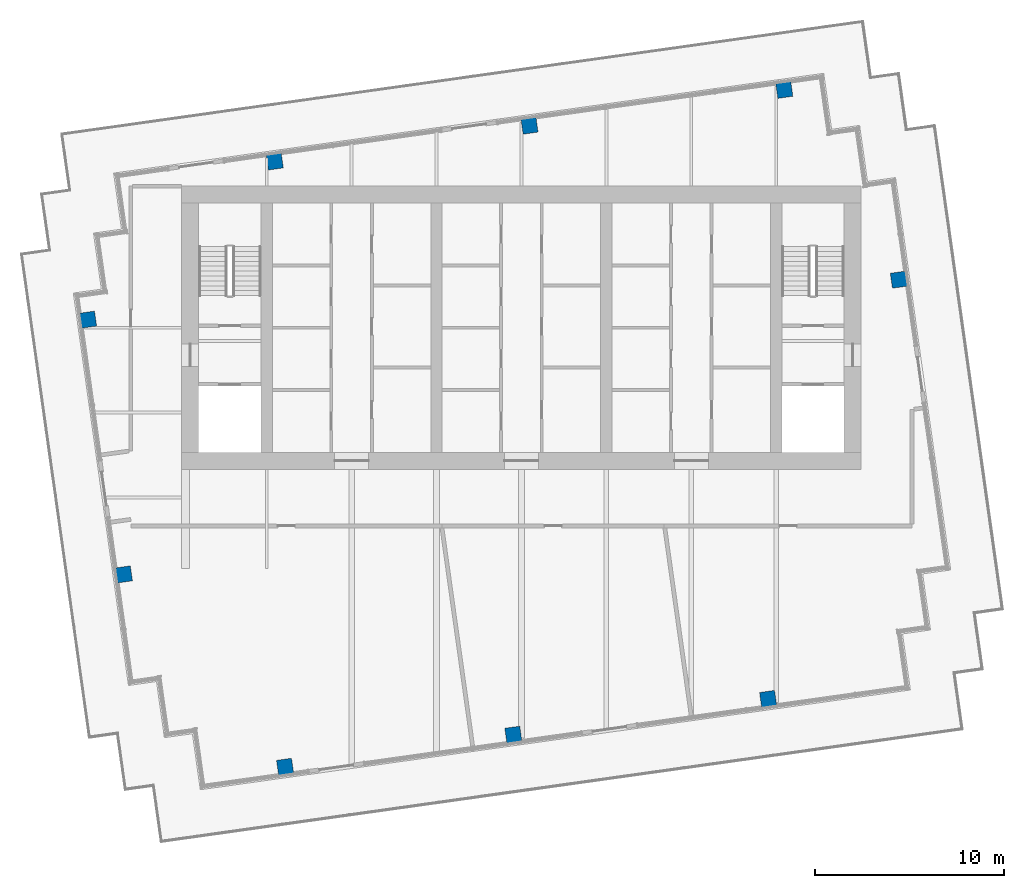
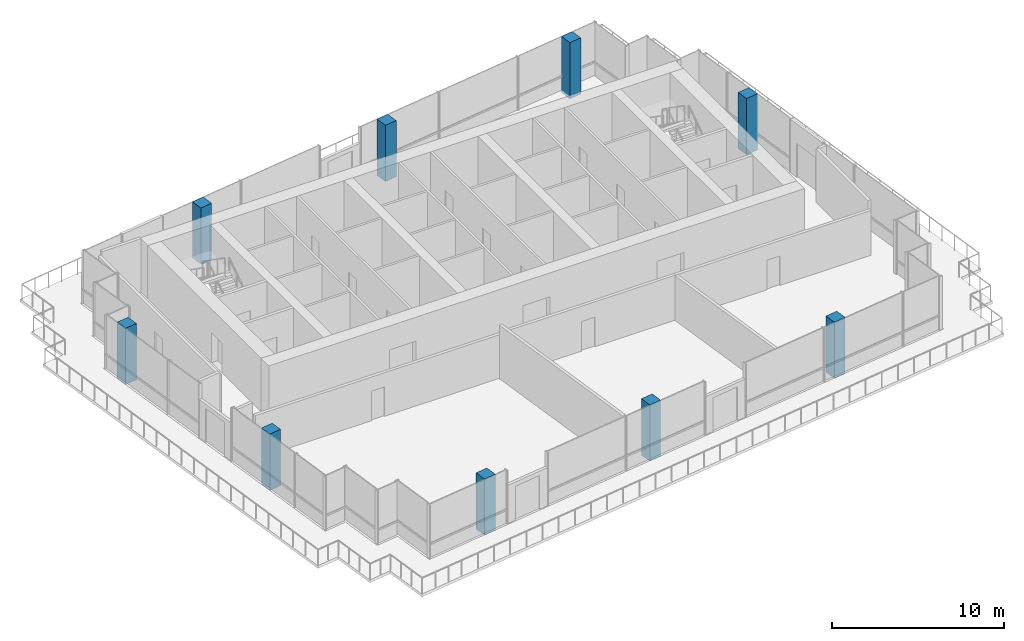
# One storey, part 1 of 12: 9 columns.
"""IFC4 building model written with IfcOpenShell, lengths in metres."""

import ifcopenshell
import ifcopenshell.guid

model = None  # the IFC model being written
_history = None  # IfcOwnerHistory: only IFC2X3 demands one
_inside = {}  # id of a spatial element -> (the spatial element, [elements in it])
_under = {}  # id of a project, library or spatial element -> (it, [spatial elements below it])
_declared = {}  # id of a project -> (the project, [libraries it declares])
_typed = {}  # id of a type object -> (the type object, [elements of that type])
_made_of = {}  # id of a material, layer set ... -> (it, [elements and type objects made of it])


def new_model(schema):
    """Start an empty IFC model of exactly this schema.

    Asked for "IFC4X3", IfcOpenShell would pick the latest addendum, in which some entities
    have other attributes; the version numbers below select the first issue.
    IFC2X3 requires an IfcOwnerHistory on every rooted entity: one is made here for all.
    """
    global model, _history
    if schema == "IFC4X3":
        model = ifcopenshell.file(schema_version=(4, 3, 0, 0))
    else:
        model = ifcopenshell.file(schema=schema)
    _inside.clear()
    _under.clear()
    _declared.clear()
    _typed.clear()
    _made_of.clear()
    _history = None
    if model.schema == "IFC2X3":
        org = make("IfcOrganization", Name="unknown")
        user = make(
            "IfcPersonAndOrganization",
            ThePerson=make("IfcPerson", FamilyName="unknown"),
            TheOrganization=org,
        )
        app = make(
            "IfcApplication",
            ApplicationDeveloper=org,
            Version="unknown",
            ApplicationFullName="unknown",
            ApplicationIdentifier="unknown",
        )
        _history = make(
            "IfcOwnerHistory",
            OwningUser=user,
            OwningApplication=app,
            ChangeAction="ADDED",
            CreationDate=0,
        )
    return model


def make(cls, **values):
    """One entity of the class cls with the attributes given. An attribute that is None is left unset."""
    return model.create_entity(
        cls, **{name: value for name, value in values.items() if value is not None}
    )


def rooted(cls, **values):
    """An entity with a GlobalId (a new one), such as an element, a storey or a relation."""
    return make(cls, GlobalId=ifcopenshell.guid.new(), OwnerHistory=_history, **values)


def si_unit(unit_type, name, prefix=None):
    """IfcSIUnit, for example si_unit("LENGTHUNIT", "METRE", prefix="MILLI")."""
    return make("IfcSIUnit", UnitType=unit_type, Prefix=prefix, Name=name)


def assignment(units):
    """IfcUnitAssignment: the units of a project."""
    return None if units is None else make("IfcUnitAssignment", Units=units)


def point(xyz):
    """IfcCartesianPoint."""
    return None if xyz is None else make("IfcCartesianPoint", Coordinates=xyz)


def direction(xyz):
    """IfcDirection."""
    return None if xyz is None else make("IfcDirection", DirectionRatios=xyz)


def frame(location, z_axis=None, x_axis=None):
    """IfcAxis2Placement3D, a coordinate frame: its origin and axes. An axis left out is left unset."""
    return make(
        "IfcAxis2Placement3D",
        Location=point(location),
        Axis=direction(z_axis),
        RefDirection=direction(x_axis),
    )


def frame_2d(location, x_axis=None):
    """IfcAxis2Placement2D, a coordinate frame in the plane: its origin and x axis."""
    return make(
        "IfcAxis2Placement2D", Location=point(location), RefDirection=direction(x_axis)
    )


def origin():
    """The frame at (0, 0, 0) with its axes left unset."""
    return frame((0.0, 0.0, 0.0))


def origin_2d():
    """The frame at (0, 0) in the plane with its x axis left unset."""
    return frame_2d((0.0, 0.0))


def place(relative_to, where):
    """IfcLocalPlacement: puts the frame where relative to a parent placement (None: the world)."""
    return make(
        "IfcLocalPlacement", PlacementRelTo=relative_to, RelativePlacement=where
    )


def context(
    kind, dimensions, precision=None, world=None, true_north=None, identifier=None
):
    """IfcGeometricRepresentationContext, for example the 3D "Model" context."""
    return make(
        "IfcGeometricRepresentationContext",
        ContextIdentifier=identifier,
        ContextType=kind,
        CoordinateSpaceDimension=dimensions,
        Precision=precision,
        WorldCoordinateSystem=world,
        TrueNorth=true_north,
    )


def subcontext(parent, identifier, kind, view, scale=None):
    """IfcGeometricRepresentationSubContext, for example "Body" below "Model"."""
    return make(
        "IfcGeometricRepresentationSubContext",
        ContextIdentifier=identifier,
        ContextType=kind,
        ParentContext=parent,
        TargetScale=scale,
        TargetView=view,
    )


def project(units=None, contexts=None):
    """IfcProject with its units and contexts."""
    return rooted(
        "IfcProject",
        Name="project",
        RepresentationContexts=contexts,
        UnitsInContext=assignment(units),
    )


def spatial(cls, under=None, at=None, **own):
    """A site, building, storey or space (cls), placed at a placement, below another one or the project."""
    s = rooted(cls, ObjectPlacement=at, **own)
    if under is not None:
        _under.setdefault(under.id(), (under, []))[1].append(s)
    return s


def profile(cls, at=None, kind="AREA", **sizes):
    """A parametric profile (cls). Its sizes go by their IFC names, for example OverallWidth=200.0."""
    return make(cls, ProfileType=kind, Position=at, **sizes)


def rectangle(**sizes):
    """IfcRectangleProfileDef."""
    return profile("IfcRectangleProfileDef", **sizes)


def extrude(swept, where, along, depth):
    """IfcExtrudedAreaSolid: the profile swept, set in the frame where, extruded along a direction by depth."""
    return make(
        "IfcExtrudedAreaSolid",
        SweptArea=swept,
        Position=where,
        ExtrudedDirection=direction(along),
        Depth=depth,
    )


def shape(context_of_items, identifier, shape_type, items):
    """IfcShapeRepresentation: the items that make up one representation, for example the "Body"."""
    return make(
        "IfcShapeRepresentation",
        ContextOfItems=context_of_items,
        RepresentationIdentifier=identifier,
        RepresentationType=shape_type,
        Items=items,
    )


def material(Name=None, Category=None):
    """IfcMaterial."""
    return make("IfcMaterial", Name=Name, Category=Category)


def material_profile(
    of_material, cross_section, Name=None, Category=None, Priority=None
):
    """IfcMaterialProfile: a cross section and its material."""
    return make(
        "IfcMaterialProfile",
        Name=Name,
        Material=of_material,
        Profile=cross_section,
        Priority=Priority,
        Category=Category,
    )


def profile_set(profiles, Name=None, composite=None):
    """IfcMaterialProfileSet."""
    return make(
        "IfcMaterialProfileSet",
        Name=Name,
        MaterialProfiles=profiles,
        CompositeProfile=composite,
    )


def made_of(thing, what):
    """Note that an element or type object is made of a material, layer set ...; save() writes the relation."""
    if what is not None:
        _made_of.setdefault(what.id(), (what, []))[1].append(thing)
    return thing


def type_object(cls, material=None, **own):
    """A type object (cls), such as IfcWallType, which elements share."""
    return made_of(rooted(cls, **own), material)


def element(
    cls,
    number,
    at=None,
    inside=None,
    cuts=None,
    type_object=None,
    material=None,
    context=None,
    identifier="Body",
    shape_type=None,
    held_by="IfcProductDefinitionShape",
    body=None,
    shapes=None,
    **own,
):
    """One element of the class cls, such as IfcWall. Its Tag is "e" and its number.

    at: its placement. inside: the storey or other place that contains it. cuts: it is an
    opening in that element (IfcRelVoidsElement). A single representation is given by context,
    identifier, shape_type and body (its items); several are given by shapes. held_by: the class
    of the entity that holds the representations. save() writes the other relations.
    """
    e = rooted(cls, Tag="e%d" % number, ObjectPlacement=at, **own)
    if body is not None:
        shapes = [shape(context, identifier, shape_type, body)]
    if shapes is not None:
        e.Representation = make(held_by, Representations=shapes)
    if inside is not None:
        _inside.setdefault(inside.id(), (inside, []))[1].append(e)
    if cuts is not None:
        rooted(
            "IfcRelVoidsElement", RelatingBuildingElement=cuts, RelatedOpeningElement=e
        )
    if type_object is not None:
        _typed.setdefault(type_object.id(), (type_object, []))[1].append(e)
    return made_of(e, material)


def aggregate(whole, parts):
    """IfcRelAggregates: a whole, such as a stair, and the parts it consists of."""
    return rooted("IfcRelAggregates", RelatingObject=whole, RelatedObjects=parts)


def save(model, path):
    """Write the relations noted so far, then the file.

    IfcRelAggregates (storeys below a building ...), IfcRelContainedInSpatialStructure (elements
    in a storey), IfcRelDefinesByType, IfcRelAssociatesMaterial and IfcRelDeclares: one each for
    every whole, place, type object, material and project.
    """
    for whole, parts in _under.values():
        aggregate(whole, parts)
    for where, things in _inside.values():
        rooted(
            "IfcRelContainedInSpatialStructure",
            RelatedElements=things,
            RelatingStructure=where,
        )
    for kind, things in _typed.values():
        rooted("IfcRelDefinesByType", RelatedObjects=things, RelatingType=kind)
    for what, things in _made_of.values():
        rooted("IfcRelAssociatesMaterial", RelatedObjects=things, RelatingMaterial=what)
    for by, libraries in _declared.values():
        rooted("IfcRelDeclares", RelatingContext=by, RelatedDefinitions=libraries)
    model.write(path)


model = new_model("IFC4")

# Units and contexts
model_context = context("Model", 3, precision=1e-05, world=origin(), true_north=direction((0.0, 1.0)))
body_context = subcontext(model_context, "Body", "Model", "MODEL_VIEW")
ifc_project = project(units=[si_unit("LENGTHUNIT", "METRE"), si_unit("AREAUNIT", "SQUARE_METRE"), si_unit("VOLUMEUNIT", "CUBIC_METRE"), si_unit("PLANEANGLEUNIT", "RADIAN"), si_unit("MASSUNIT", "GRAM", prefix="KILO")], contexts=[model_context])

# Site, building, storey
site_placement = place(None, origin())
site = spatial("IfcSite", under=ifc_project, at=site_placement, CompositionType="ELEMENT")
building_placement = place(site_placement, origin())
building = spatial("IfcBuilding", under=site, at=building_placement, Name="Rattan Terrace Tower", CompositionType="ELEMENT")
storey_placement = place(building_placement, frame((0.0, 0.0, 292.300048828125)))
storey = spatial("IfcBuildingStorey", under=building, at=storey_placement, Name="C01", CompositionType="ELEMENT", Elevation=292.300048828125)

# Columns
ifc_material = material(Name="Concrete C40/50", Category="concrete")
ifc_material_profile = material_profile(ifc_material, rectangle(XDim=0.800048828125, YDim=0.800048828125, at=origin_2d()), Name="CFT 800x800")
ifc_profile_set = profile_set([ifc_material_profile], Name="Concrete C40/50")
column_type = type_object("IfcColumnType", Name="Frame lantern column CFT 800x800", PredefinedType="COLUMN", material=ifc_profile_set)
for number, where, z_axis, x_axis, name in (
    (1, (-12.52490234375, -23.26611328125, -0.199951171875), (0.0, 0.0, 1.0), (0.990265639562, 0.139190384377, 0.0), "exo-C01-001"),
    (2, (-0.428955078125, -21.56591796875, -0.199951171875), (0.0, 0.0, 1.0), (0.990265639562, 0.139190384377, 0.0), "exo-C01-002"),
    (3, (13.071044921875, -19.6689453125, -0.199951171875), (0.0, 0.0, 1.0), (0.990265639562, 0.139190384377, 0.0), "exo-C01-003"),
    (4, (-21.06591796875, -13.071044921875, -0.199951171875), (0.0, 0.0, 1.0), (-0.139190384377, 0.990265639562, 0.0), "exo-C01-004"),
    (5, (-22.962890625, 0.428955078125, -0.199951171875), (0.0, 0.0, 1.0), (-0.139190384377, 0.990265639562, 0.0), "exo-C01-005"),
    (6, (19.9990234375, 2.5458984375, -0.199951171875), (0.0, 0.0, 1.0), (-0.139190384377, 0.990265639562, 0.0), "exo-C01-006"),
    (7, (-13.071044921875, 8.80908203125, -0.199951171875), (0.0, 0.0, 1.0), (0.990265639562, 0.139190384377, 0.0), "exo-C01-007"),
    (8, (0.428955078125, 10.70703125, -0.199951171875), (0.0, 0.0, 1.0), (0.990265639562, 0.139190384377, 0.0), "exo-C01-008"),
    (9, (13.928955078125, 12.60400390625, -0.199951171875), (0.0, 0.0, 1.0), (0.990265639562, 0.139190384377, 0.0), "exo-C01-009"),
):
    element("IfcColumn", number, at=place(storey_placement, frame(where, z_axis=z_axis, x_axis=x_axis)), inside=storey, type_object=column_type, Name=name, PredefinedType="COLUMN", context=body_context, shape_type="SweptSolid", body=[
        extrude(rectangle(XDim=0.800048828125, YDim=0.800048828125, at=origin_2d()), origin(), (0.0, 0.0, 1.0), 4.0),
    ])

save(model, "model.ifc")
